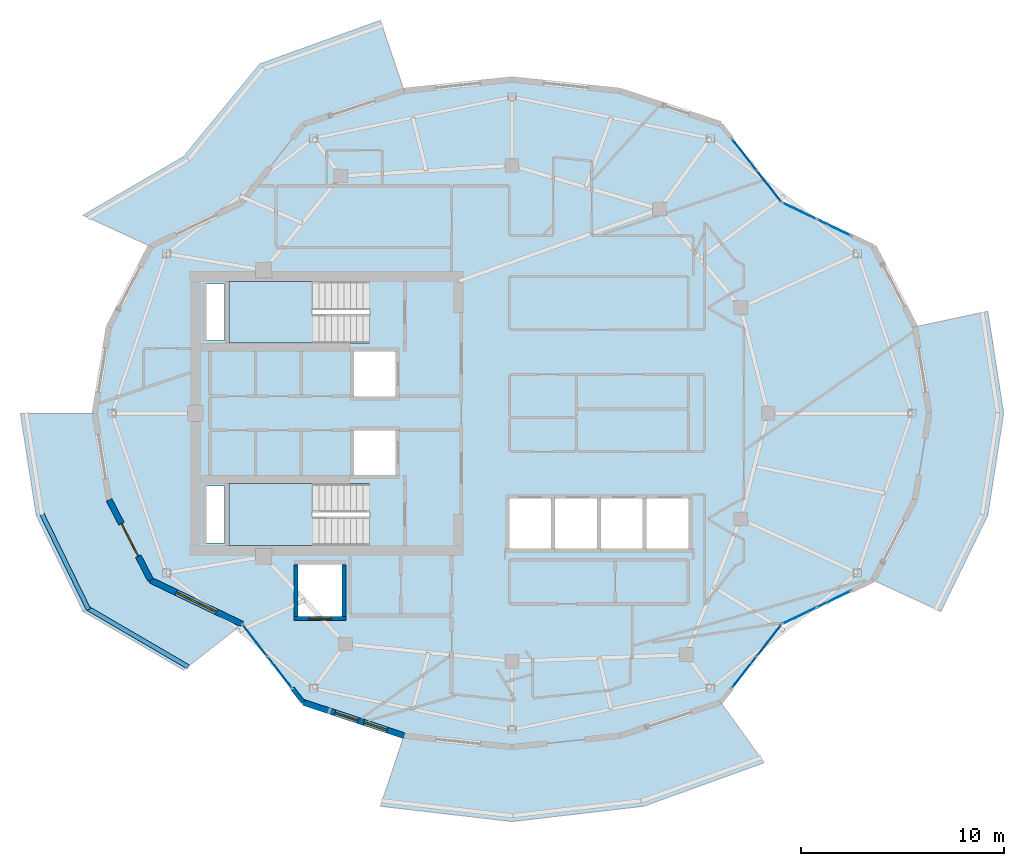
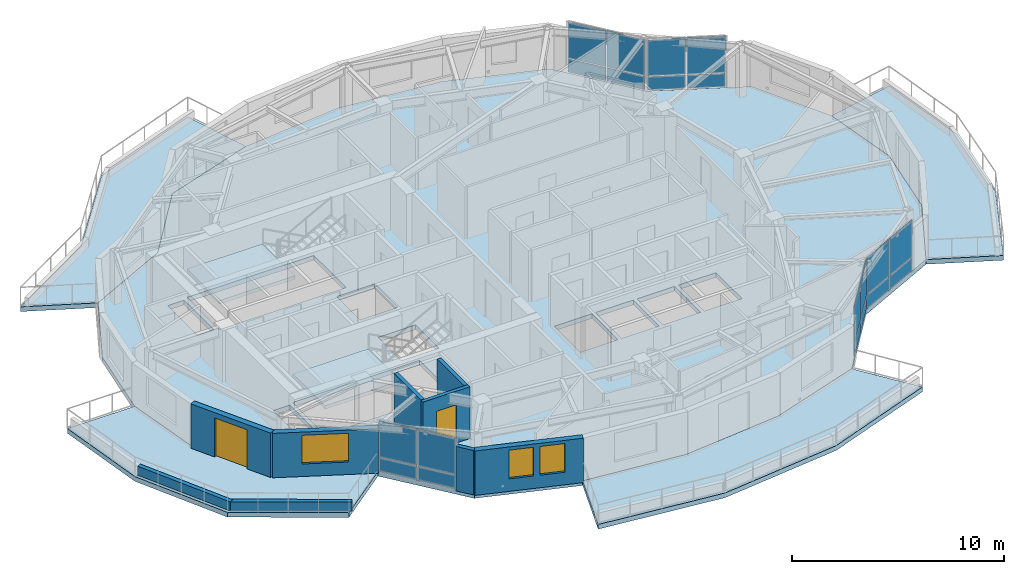
# One storey, part 6 of 15: 25 plates, 9 walls, 7 slabs, 3 windows, 2 doors, 5 openings, 7 elements without a shape of their own.
"""IFC4 building model written with IfcOpenShell, lengths in metres."""

from ifc_helpers import new_model, si_unit, direction, frame, frame_2d, origin, origin_2d, place, context, subcontext, project, spatial, polyline, rectangle, outline, extrude, material, layer, layer_set, type_object, element, fill, aggregate, save


model = new_model("IFC4")

# Units and contexts
model_context = context("Model", 3, precision=1e-05, world=origin(), true_north=direction((0.0, 1.0)))
body_context = subcontext(model_context, "Body", "Model", "MODEL_VIEW")
ifc_project = project(units=[si_unit("LENGTHUNIT", "METRE"), si_unit("AREAUNIT", "SQUARE_METRE"), si_unit("VOLUMEUNIT", "CUBIC_METRE"), si_unit("PLANEANGLEUNIT", "RADIAN"), si_unit("MASSUNIT", "GRAM", prefix="KILO")], contexts=[model_context])

# Site, building, storey
site_placement = place(None, origin())
site = spatial("IfcSite", under=ifc_project, at=site_placement, CompositionType="ELEMENT")
building_placement = place(site_placement, origin())
building = spatial("IfcBuilding", under=site, at=building_placement, Name="Kolvaren Gate Tower and Convention Centre", CompositionType="ELEMENT")
storey_placement = place(building_placement, frame((0.0, 0.0, 272.300048828125)))
storey = spatial("IfcBuildingStorey", under=building, at=storey_placement, Name="L74", CompositionType="ELEMENT", Elevation=272.300048828125)

# Plates
ifc_material_1 = material(Name="Perforated Anodized Bronze Aluminium Sheet 6 mm", Category="aluminium")
ifc_layer_1 = layer(ifc_material_1, 0.011962890625)
ifc_layer_set_1 = layer_set([ifc_layer_1], Name="Perforated Anodized Bronze Aluminium Sheet 6 mm")
plate_type_1 = type_object("IfcPlateType", Name="ARCH-PL-SCREEN-PERF", PredefinedType="SHEET", material=ifc_layer_set_1)
for number, where, z_axis, x_axis, name in (
    (1, (45.65478515625, 36.2939453125, 2.14013671875), (0.0, 0.0, 1.0), (0.901356122373, -0.433078677218, 0.0), "Tower L74 Perforated Bronze Solar Screen SS-02"),
    (2, (41.897216796875, 39.2998046875, 2.14013671875), (0.0, 0.0, 1.0), (0.616429996253, -0.787409715281, 0.0), "Tower L74 Perforated Bronze Solar Screen SS-03"),
    (3, (18.352783203125, 14.7001953125, 2.14013671875), (0.0, 0.0, 1.0), (0.616429996253, -0.787409715281, 0.0), "Tower L74 Perforated Bronze Solar Screen SS-15"),
    (4, (41.897216796875, 14.7001953125, 2.14013671875), (0.0, 0.0, 1.0), (0.616429996253, 0.787409715281, 0.0), "Tower L74 Perforated Bronze Solar Screen SS-20"),
    (5, (45.65478515625, 17.7060546875, 2.14013671875), (0.0, 0.0, 1.0), (0.901356122373, 0.433078677218, 0.0), "Tower L74 Perforated Bronze Solar Screen SS-21"),
):
    element("IfcPlate", number, at=place(storey_placement, frame(where, z_axis=z_axis, x_axis=x_axis)), inside=storey, type_object=plate_type_1, Name=name, PredefinedType="SHEET", context=body_context, shape_type="SweptSolid", body=[
        extrude(rectangle(XDim=2.60009765625, YDim=0.011962890625, at=origin_2d()), origin(), (0.0, 0.0, 1.0), 0.840087890625),
    ])

# Curtain wall, plates
ifc_material_2 = material(Name="Anodized Architectural Aluminium Alloy 6063-T6", Category="aluminium")
ifc_layer_2 = layer(ifc_material_2, 0.159912109375)
ifc_layer_set_2 = layer_set([ifc_layer_2], Name="Anodized Architectural Aluminium Alloy 6063-T6")
curtain_wall_type = type_object("IfcCurtainWallType", Name="CW-RES-UNIT", PredefinedType="NOTDEFINED", material=ifc_layer_set_2)
curtain_wall_1_placement = place(storey_placement, origin())
curtain_wall_1 = element("IfcCurtainWall", 6, at=curtain_wall_1_placement, inside=storey, type_object=curtain_wall_type, Name="Tower L74 Unitised Curtain Wall CW-RES-UNIT Bay 02", PredefinedType="NOTDEFINED")
ifc_material_3 = material(Name="Low-E Triple Insulated Glazing Unit 44 mm", Category="glass")
ifc_layer_3 = layer(ifc_material_3, 0.0439453125)
ifc_layer_set_3 = layer_set([ifc_layer_3], Name="Low-E Triple Insulated Glazing Unit 44 mm")
plate_type_2 = type_object("IfcPlateType", Name="CW-PL-IGU-44", PredefinedType="CURTAIN_PANEL", material=ifc_layer_set_3)
plate_1_placement = place(storey_placement, frame((44.27783203125, 36.95556640625, 0.88232421875), z_axis=(0.0, 0.0, 1.0), x_axis=(0.90136052248, -0.433069519262, 0.0)))
plate_1 = element("IfcPlate", 7, at=plate_1_placement, type_object=plate_type_2, Name="CW-04 panel 1.2", PredefinedType="CURTAIN_PANEL", context=body_context, shape_type="SweptSolid", body=[
    extrude(rectangle(XDim=1.80908203125, YDim=0.0439453125, at=origin_2d()), origin(), (0.0, 0.0, 1.0), 2.032470703125),
])
plate_2_placement = place(storey_placement, frame((45.967041015625, 36.14404296875, 0.88232421875), z_axis=(0.0, 0.0, 1.0), x_axis=(0.90136052248, -0.433069519262, 0.0)))
plate_2 = element("IfcPlate", 8, at=plate_2_placement, type_object=plate_type_2, Name="CW-04 panel 2.2", PredefinedType="CURTAIN_PANEL", context=body_context, shape_type="SweptSolid", body=[
    extrude(rectangle(XDim=1.80908203125, YDim=0.0439453125, at=origin_2d()), origin(), (0.0, 0.0, 1.0), 2.032470703125),
])

curtain_wall_2_placement = place(storey_placement, origin())
curtain_wall_2 = element("IfcCurtainWall", 9, at=curtain_wall_2_placement, inside=storey, type_object=curtain_wall_type, Name="Tower L74 Unitised Curtain Wall CW-RES-UNIT Bay 03", PredefinedType="NOTDEFINED")
plate_3_placement = place(storey_placement, frame((41.558837890625, 39.732177734375, 0.88232421875), z_axis=(0.0, 0.0, 1.0), x_axis=(0.616432579226, -0.787407693173, 0.0)))
plate_3 = element("IfcPlate", 10, at=plate_3_placement, type_object=plate_type_2, Name="CW-04 panel 1.2", PredefinedType="CURTAIN_PANEL", context=body_context, shape_type="SweptSolid", body=[
    extrude(rectangle(XDim=1.90869140625, YDim=0.0439453125, at=origin_2d()), origin(), (0.0, 0.0, 1.0), 2.032470703125),
])
plate_4_placement = place(storey_placement, frame((42.775634765625, 38.177978515625, 0.88232421875), z_axis=(0.0, 0.0, 1.0), x_axis=(0.616432579226, -0.787407693173, 0.0)))
plate_4 = element("IfcPlate", 11, at=plate_4_placement, type_object=plate_type_2, Name="CW-04 panel 2.2", PredefinedType="CURTAIN_PANEL", context=body_context, shape_type="SweptSolid", body=[
    extrude(rectangle(XDim=1.90869140625, YDim=0.0439453125, at=origin_2d()), origin(), (0.0, 0.0, 1.0), 2.032470703125),
])

curtain_wall_3_placement = place(storey_placement, origin())
curtain_wall_3 = element("IfcCurtainWall", 12, at=curtain_wall_3_placement, inside=storey, type_object=curtain_wall_type, Name="Tower L74 Unitised Curtain Wall CW-RES-UNIT Bay 15", PredefinedType="NOTDEFINED")
plate_5_placement = place(storey_placement, frame((17.474365234375, 15.822021484375, 0.88232421875), z_axis=(0.0, 0.0, 1.0), x_axis=(0.616425867976, -0.787412947119, 0.0)))
plate_5 = element("IfcPlate", 13, at=plate_5_placement, type_object=plate_type_2, Name="CW-04 panel 1.2", PredefinedType="CURTAIN_PANEL", context=body_context, shape_type="SweptSolid", body=[
    extrude(rectangle(XDim=1.908447265625, YDim=0.0439453125, at=origin_2d()), origin(), (0.0, 0.0, 1.0), 2.032470703125),
])
plate_6_placement = place(storey_placement, frame((18.69091796875, 14.26806640625, 0.88232421875), z_axis=(0.0, 0.0, 1.0), x_axis=(0.616425867976, -0.787412947119, 0.0)))
plate_6 = element("IfcPlate", 14, at=plate_6_placement, type_object=plate_type_2, Name="CW-04 panel 2.2", PredefinedType="CURTAIN_PANEL", context=body_context, shape_type="SweptSolid", body=[
    extrude(rectangle(XDim=1.908447265625, YDim=0.0439453125, at=origin_2d()), origin(), (0.0, 0.0, 1.0), 2.032470703125),
])

curtain_wall_4_placement = place(storey_placement, origin())
curtain_wall_4 = element("IfcCurtainWall", 15, at=curtain_wall_4_placement, inside=storey, type_object=curtain_wall_type, Name="Tower L74 Unitised Curtain Wall CW-RES-UNIT Bay 20", PredefinedType="NOTDEFINED")
plate_7_placement = place(storey_placement, frame((41.558837890625, 14.267822265625, 0.88232421875), z_axis=(0.0, 0.0, 1.0), x_axis=(0.616432579226, 0.787407693173, 0.0)))
plate_7 = element("IfcPlate", 16, at=plate_7_placement, type_object=plate_type_2, Name="CW-04 panel 1.2", PredefinedType="CURTAIN_PANEL", context=body_context, shape_type="SweptSolid", body=[
    extrude(rectangle(XDim=1.90869140625, YDim=0.0439453125, at=origin_2d()), origin(), (0.0, 0.0, 1.0), 2.032470703125),
])
plate_8_placement = place(storey_placement, frame((42.775634765625, 15.822021484375, 0.88232421875), z_axis=(0.0, 0.0, 1.0), x_axis=(0.616432579226, 0.787407693173, 0.0)))
plate_8 = element("IfcPlate", 17, at=plate_8_placement, type_object=plate_type_2, Name="CW-04 panel 2.2", PredefinedType="CURTAIN_PANEL", context=body_context, shape_type="SweptSolid", body=[
    extrude(rectangle(XDim=1.90869140625, YDim=0.0439453125, at=origin_2d()), origin(), (0.0, 0.0, 1.0), 2.032470703125),
])

curtain_wall_5_placement = place(storey_placement, origin())
curtain_wall_5 = element("IfcCurtainWall", 18, at=curtain_wall_5_placement, inside=storey, type_object=curtain_wall_type, Name="Tower L74 Unitised Curtain Wall CW-RES-UNIT Bay 21", PredefinedType="NOTDEFINED")
plate_9_placement = place(storey_placement, frame((44.27783203125, 17.04443359375, 0.88232421875), z_axis=(0.0, 0.0, 1.0), x_axis=(0.90136052248, 0.433069519262, 0.0)))
plate_9 = element("IfcPlate", 19, at=plate_9_placement, type_object=plate_type_2, Name="CW-04 panel 1.2", PredefinedType="CURTAIN_PANEL", context=body_context, shape_type="SweptSolid", body=[
    extrude(rectangle(XDim=1.80908203125, YDim=0.0439453125, at=origin_2d()), origin(), (0.0, 0.0, 1.0), 2.032470703125),
])
plate_10_placement = place(storey_placement, frame((45.967041015625, 17.85595703125, 0.88232421875), z_axis=(0.0, 0.0, 1.0), x_axis=(0.90136052248, 0.433069519262, 0.0)))
plate_10 = element("IfcPlate", 20, at=plate_10_placement, type_object=plate_type_2, Name="CW-04 panel 2.2", PredefinedType="CURTAIN_PANEL", context=body_context, shape_type="SweptSolid", body=[
    extrude(rectangle(XDim=1.80908203125, YDim=0.0439453125, at=origin_2d()), origin(), (0.0, 0.0, 1.0), 2.032470703125),
])

# Plate
ifc_material_4 = material(Name="Solar-Control Laminated Curtain Glazing 36 mm", Category="glass")
ifc_layer_4 = layer(ifc_material_4, 0.035888671875)
ifc_layer_set_4 = layer_set([ifc_layer_4], Name="Solar-Control Laminated Curtain Glazing 36 mm")
plate_type_3 = type_object("IfcPlateType", Name="CW-PL-SPAN-36", PredefinedType="CURTAIN_PANEL", material=ifc_layer_set_4)
plate_11_placement = place(storey_placement, frame((44.27783203125, 36.95556640625, 0.06494140625), z_axis=(0.0, 0.0, 1.0), x_axis=(0.90136052248, -0.433069519262, 0.0)))
plate_11 = element("IfcPlate", 21, at=plate_11_placement, type_object=plate_type_3, Name="CW-04 panel 1.1", PredefinedType="CURTAIN_PANEL", context=body_context, shape_type="SweptSolid", body=[
    extrude(rectangle(XDim=1.80908203125, YDim=0.035888671875, at=origin_2d()), origin(), (0.0, 0.0, 1.0), 0.75244140625),
])

plate_12_placement = place(storey_placement, frame((45.967041015625, 36.14404296875, 0.06494140625), z_axis=(0.0, 0.0, 1.0), x_axis=(0.90136052248, -0.433069519262, 0.0)))
plate_12 = element("IfcPlate", 22, at=plate_12_placement, type_object=plate_type_3, Name="CW-04 panel 2.1", PredefinedType="CURTAIN_PANEL", context=body_context, shape_type="SweptSolid", body=[
    extrude(rectangle(XDim=1.80908203125, YDim=0.035888671875, at=origin_2d()), origin(), (0.0, 0.0, 1.0), 0.75244140625),
])

aggregate(curtain_wall_1, [plate_11, plate_1, plate_12, plate_2])

plate_13_placement = place(storey_placement, frame((41.558837890625, 39.732177734375, 0.06494140625), z_axis=(0.0, 0.0, 1.0), x_axis=(0.616432579226, -0.787407693173, 0.0)))
plate_13 = element("IfcPlate", 23, at=plate_13_placement, type_object=plate_type_3, Name="CW-04 panel 1.1", PredefinedType="CURTAIN_PANEL", context=body_context, shape_type="SweptSolid", body=[
    extrude(rectangle(XDim=1.90869140625, YDim=0.035888671875, at=origin_2d()), origin(), (0.0, 0.0, 1.0), 0.75244140625),
])

plate_14_placement = place(storey_placement, frame((42.775634765625, 38.177978515625, 0.06494140625), z_axis=(0.0, 0.0, 1.0), x_axis=(0.616432579226, -0.787407693173, 0.0)))
plate_14 = element("IfcPlate", 24, at=plate_14_placement, type_object=plate_type_3, Name="CW-04 panel 2.1", PredefinedType="CURTAIN_PANEL", context=body_context, shape_type="SweptSolid", body=[
    extrude(rectangle(XDim=1.90869140625, YDim=0.035888671875, at=origin_2d()), origin(), (0.0, 0.0, 1.0), 0.75244140625),
])

aggregate(curtain_wall_2, [plate_13, plate_3, plate_14, plate_4])

plate_15_placement = place(storey_placement, frame((17.474365234375, 15.822021484375, 0.06494140625), z_axis=(0.0, 0.0, 1.0), x_axis=(0.616425867976, -0.787412947119, 0.0)))
plate_15 = element("IfcPlate", 25, at=plate_15_placement, type_object=plate_type_3, Name="CW-04 panel 1.1", PredefinedType="CURTAIN_PANEL", context=body_context, shape_type="SweptSolid", body=[
    extrude(rectangle(XDim=1.908447265625, YDim=0.035888671875, at=origin_2d()), origin(), (0.0, 0.0, 1.0), 0.75244140625),
])

plate_16_placement = place(storey_placement, frame((18.69091796875, 14.26806640625, 0.06494140625), z_axis=(0.0, 0.0, 1.0), x_axis=(0.616425867976, -0.787412947119, 0.0)))
plate_16 = element("IfcPlate", 26, at=plate_16_placement, type_object=plate_type_3, Name="CW-04 panel 2.1", PredefinedType="CURTAIN_PANEL", context=body_context, shape_type="SweptSolid", body=[
    extrude(rectangle(XDim=1.908447265625, YDim=0.035888671875, at=origin_2d()), origin(), (0.0, 0.0, 1.0), 0.75244140625),
])

aggregate(curtain_wall_3, [plate_15, plate_5, plate_16, plate_6])

plate_17_placement = place(storey_placement, frame((41.558837890625, 14.267822265625, 0.06494140625), z_axis=(0.0, 0.0, 1.0), x_axis=(0.616432579226, 0.787407693173, 0.0)))
plate_17 = element("IfcPlate", 27, at=plate_17_placement, type_object=plate_type_3, Name="CW-04 panel 1.1", PredefinedType="CURTAIN_PANEL", context=body_context, shape_type="SweptSolid", body=[
    extrude(rectangle(XDim=1.90869140625, YDim=0.035888671875, at=origin_2d()), origin(), (0.0, 0.0, 1.0), 0.75244140625),
])

plate_18_placement = place(storey_placement, frame((42.775634765625, 15.822021484375, 0.06494140625), z_axis=(0.0, 0.0, 1.0), x_axis=(0.616432579226, 0.787407693173, 0.0)))
plate_18 = element("IfcPlate", 28, at=plate_18_placement, type_object=plate_type_3, Name="CW-04 panel 2.1", PredefinedType="CURTAIN_PANEL", context=body_context, shape_type="SweptSolid", body=[
    extrude(rectangle(XDim=1.90869140625, YDim=0.035888671875, at=origin_2d()), origin(), (0.0, 0.0, 1.0), 0.75244140625),
])

aggregate(curtain_wall_4, [plate_17, plate_7, plate_18, plate_8])

plate_19_placement = place(storey_placement, frame((44.27783203125, 17.04443359375, 0.06494140625), z_axis=(0.0, 0.0, 1.0), x_axis=(0.90136052248, 0.433069519262, 0.0)))
plate_19 = element("IfcPlate", 29, at=plate_19_placement, type_object=plate_type_3, Name="CW-04 panel 1.1", PredefinedType="CURTAIN_PANEL", context=body_context, shape_type="SweptSolid", body=[
    extrude(rectangle(XDim=1.80908203125, YDim=0.035888671875, at=origin_2d()), origin(), (0.0, 0.0, 1.0), 0.75244140625),
])

plate_20_placement = place(storey_placement, frame((45.967041015625, 17.85595703125, 0.06494140625), z_axis=(0.0, 0.0, 1.0), x_axis=(0.90136052248, 0.433069519262, 0.0)))
plate_20 = element("IfcPlate", 30, at=plate_20_placement, type_object=plate_type_3, Name="CW-04 panel 2.1", PredefinedType="CURTAIN_PANEL", context=body_context, shape_type="SweptSolid", body=[
    extrude(rectangle(XDim=1.80908203125, YDim=0.035888671875, at=origin_2d()), origin(), (0.0, 0.0, 1.0), 0.75244140625),
])

aggregate(curtain_wall_5, [plate_19, plate_9, plate_20, plate_10])

# Slabs
ifc_material_5 = material(Name="Concrete C50/60", Category="concrete")
ifc_layer_5 = layer(ifc_material_5, 0.27001953125)
ifc_layer_set_5 = layer_set([ifc_layer_5], Name="Concrete C50/60")
slab_type_1 = type_object("IfcSlabType", Name="STR-SL-BALC-270", PredefinedType="FLOOR", material=ifc_layer_set_5)
slab_1_placement = place(storey_placement, frame((0.0, 0.0, -0.27001953125)))
element("IfcSlab", 31, at=slab_1_placement, inside=storey, type_object=slab_type_1, Name="Tower L74 Planted Balcony Terrace Slab 1 (North)", PredefinedType="FLOOR", context=body_context, shape_type="SweptSolid", body=[
    extrude(outline(polyline([(24.81103515625, 42.865234375), (19.859375, 41.224609375), (16.84619140625, 37.37548828125), (12.344482421875, 35.21240234375), (9.021728515625, 36.747314453125), (13.962158203125, 39.62890625), (17.717529296875, 44.1923828125), (23.648681640625, 46.335693359375), (24.81103515625, 42.865234375)])), origin(), (0.0, 0.0, 1.0), 0.27001953125),
])
slab_2_placement = place(storey_placement, frame((0.0, 0.0, -0.27001953125)))
element("IfcSlab", 32, at=slab_2_placement, inside=storey, type_object=slab_type_1, Name="Tower L74 Planted Balcony Terrace Slab 2 (West)", PredefinedType="FLOOR", context=body_context, shape_type="SweptSolid", body=[
    extrude(outline(polyline([(9.59375, 27.0), (10.293212890625, 22.748779296875), (12.344482421875, 18.78759765625), (16.84619140625, 16.62451171875), (13.962158203125, 14.37109375), (9.021728515625, 17.252685546875), (6.714599609375, 21.981689453125), (5.933837890625, 27.0), (9.59375, 27.0)])), origin(), (0.0, 0.0, 1.0), 0.27001953125),
])
slab_3_placement = place(storey_placement, frame((0.0, 0.0, -0.27001953125)))
element("IfcSlab", 33, at=slab_3_placement, inside=storey, type_object=slab_type_1, Name="Tower L74 Planted Balcony Terrace Slab 3 (South)", PredefinedType="FLOOR", context=body_context, shape_type="SweptSolid", body=[
    extrude(outline(polyline([(24.81103515625, 11.134765625), (30.125, 10.574951171875), (35.43896484375, 11.134765625), (40.390625, 12.775390625), (42.532470703125, 9.8076171875), (36.601318359375, 7.664306640625), (30.125, 6.9150390625), (23.648681640625, 7.664306640625), (24.81103515625, 11.134765625)])), origin(), (0.0, 0.0, 1.0), 0.27001953125),
])
slab_4_placement = place(storey_placement, frame((0.0, 0.0, -0.27001953125)))
element("IfcSlab", 34, at=slab_4_placement, inside=storey, type_object=slab_type_1, Name="Tower L74 Planted Balcony Terrace Slab 4 (East)", PredefinedType="FLOOR", context=body_context, shape_type="SweptSolid", body=[
    extrude(outline(polyline([(47.905517578125, 18.78759765625), (49.956787109375, 22.748779296875), (50.65625, 27.0), (49.956787109375, 31.251220703125), (53.535400390625, 32.018310546875), (54.316162109375, 27.0), (53.535400390625, 21.981689453125), (51.228271484375, 17.252685546875), (47.905517578125, 18.78759765625)])), origin(), (0.0, 0.0, 1.0), 0.27001953125),
])
ifc_material_6 = material(Name="Concrete C40/50", Category="concrete")
ifc_layer_6 = layer(ifc_material_6, 0.27001953125)
ifc_layer_set_6 = layer_set([ifc_layer_6], Name="Concrete C40/50")
slab_type_2 = type_object("IfcSlabType", Name="STR-SL-FLR-270", PredefinedType="FLOOR", material=ifc_layer_set_6)
slab_5_placement = place(storey_placement, frame((0.0, 0.0, -0.27001953125)))
element("IfcSlab", 35, at=slab_5_placement, inside=storey, type_object=slab_type_2, Name="Tower L74 Structural Floor Slab", PredefinedType="FLOOR", context=body_context, shape_type="SweptSolid", body=[
    extrude(outline(polyline([(50.65625, 27.0), (49.95654296875, 31.251220703125), (47.905517578125, 35.21240234375), (43.40380859375, 37.37548828125), (40.390625, 41.224609375), (35.43896484375, 42.865234375), (30.125, 43.425048828125), (24.81103515625, 42.865234375), (19.859375, 41.224609375), (16.84619140625, 37.37548828125), (12.344482421875, 35.21240234375), (10.29345703125, 31.251220703125), (9.59375, 27.0), (10.29345703125, 22.748779296875), (12.344482421875, 18.78759765625), (16.84619140625, 16.62451171875), (19.859375, 12.775390625), (24.81103515625, 11.134765625), (30.125, 10.574951171875), (35.43896484375, 11.134765625), (40.390625, 12.775390625), (43.40380859375, 16.62451171875), (47.905517578125, 18.78759765625), (49.95654296875, 22.748779296875), (50.65625, 27.0)]), holes=[polyline([(36.75, 20.35009765625), (36.75, 22.800048828125), (38.800048828125, 22.800048828125), (38.800048828125, 20.35009765625), (36.75, 20.35009765625)]), polyline([(36.550048828125, 20.35009765625), (34.5, 20.35009765625), (34.5, 22.800048828125), (36.550048828125, 22.800048828125), (36.550048828125, 20.35009765625)]), polyline([(32.25, 20.35009765625), (32.25, 22.800048828125), (34.300048828125, 22.800048828125), (34.300048828125, 20.35009765625), (32.25, 20.35009765625)]), polyline([(30.0, 20.35009765625), (30.0, 22.800048828125), (32.050048828125, 22.800048828125), (32.050048828125, 20.35009765625), (30.0, 20.35009765625)]), polyline([(22.35009765625, 23.9599609375), (22.35009765625, 26.159912109375), (24.39990234375, 26.159912109375), (24.39990234375, 23.9599609375), (22.35009765625, 23.9599609375)]), polyline([(22.35009765625, 27.840087890625), (22.35009765625, 30.0400390625), (24.39990234375, 30.0400390625), (24.39990234375, 27.840087890625), (22.35009765625, 27.840087890625)]), polyline([(16.199951171875, 23.5400390625), (23.10009765625, 23.5400390625), (23.10009765625, 20.5), (16.199951171875, 20.5), (16.199951171875, 23.5400390625)]), polyline([(16.199951171875, 33.5), (23.10009765625, 33.5), (23.10009765625, 30.4599609375), (16.199951171875, 30.4599609375), (16.199951171875, 33.5)]), polyline([(21.75, 17.0), (19.60009765625, 17.0), (19.60009765625, 19.550048828125), (21.75, 19.550048828125), (21.75, 17.0)]), polyline([(15.080078125, 30.580078125), (15.080078125, 33.3701171875), (15.969970703125, 33.3701171875), (15.969970703125, 30.580078125), (15.080078125, 30.580078125)]), polyline([(15.969970703125, 20.6298828125), (15.080078125, 20.6298828125), (15.080078125, 23.419921875), (15.969970703125, 23.419921875), (15.969970703125, 20.6298828125)])]), origin(), (0.0, 0.0, 1.0), 0.27001953125),
])

# Stair, slab
stair_type = type_object("IfcStairType", Name="STR-STAIR-CORE", PredefinedType="HALF_TURN_STAIR", material=ifc_material_5)
stair_1_placement = place(storey_placement, origin())
stair_1 = element("IfcStair", 36, at=stair_1_placement, inside=storey, type_object=stair_type, Name="L74 Tower North Exit Stair ST-T1", PredefinedType="HALF_TURN_STAIR")
ifc_layer_7 = layer(ifc_material_5, 0.199951171875)
ifc_layer_set_7 = layer_set([ifc_layer_7], Name="Concrete C50/60")
slab_type_3 = type_object("IfcSlabType", Name="STR-SL-LAND-200", PredefinedType="LANDING", material=ifc_layer_set_7)
slab_6_placement = place(storey_placement, frame((0.0, 0.0, 1.449951171875)))
slab_6 = element("IfcSlab", 37, at=slab_6_placement, type_object=slab_type_3, Name="ST-T1 landing 1", PredefinedType="LANDING", context=body_context, shape_type="SweptSolid", body=[
    extrude(outline(polyline([(20.31005859375, 33.5), (16.199951171875, 33.5), (16.199951171875, 30.4599609375), (20.31005859375, 30.4599609375), (20.31005859375, 33.5)])), origin(), (0.0, 0.0, 1.0), 0.199951171875),
])
aggregate(stair_1, [slab_6])

stair_2_placement = place(storey_placement, origin())
stair_2 = element("IfcStair", 38, at=stair_2_placement, inside=storey, type_object=stair_type, Name="L74 Tower South Exit Stair ST-T2", PredefinedType="HALF_TURN_STAIR")
slab_7_placement = place(storey_placement, frame((0.0, 0.0, 1.449951171875)))
slab_7 = element("IfcSlab", 39, at=slab_7_placement, type_object=slab_type_3, Name="ST-T2 landing 1", PredefinedType="LANDING", context=body_context, shape_type="SweptSolid", body=[
    extrude(outline(polyline([(20.31005859375, 23.5400390625), (16.199951171875, 23.5400390625), (16.199951171875, 20.5), (20.31005859375, 20.5), (20.31005859375, 23.5400390625)])), origin(), (0.0, 0.0, 1.0), 0.199951171875),
])
aggregate(stair_2, [slab_7])

# Walls
ifc_material_7 = material(Name="Bogota Sabana Bush-Hammered Sandstone Cladding", Category="masonry")
ifc_layer_8 = layer(ifc_material_7, 0.219970703125)
ifc_layer_set_8 = layer_set([ifc_layer_8], Name="Bogota Sabana Bush-Hammered Sandstone Cladding")
wall_type_1 = type_object("IfcWallType", Name="ARCH-WL-PIER-220", PredefinedType="SOLIDWALL", material=ifc_layer_set_8)
wall_1_placement = place(storey_placement, frame((19.319091796875, 13.465576171875, 0.0), z_axis=(0.0, 0.0, 1.0), x_axis=(0.61640589237, -0.787428584604, 0.0)))
element("IfcWall", 40, at=wall_1_placement, inside=storey, type_object=wall_type_1, Name="Tower L74 Unitised Curtain Wall CW-RES-UNIT Bay 15 Right Column Pier Wrap", PredefinedType="SOLIDWALL", context=body_context, shape_type="SweptSolid", body=[
    extrude(rectangle(XDim=0.87646484375, YDim=0.219970703125, at=frame_2d((0.438232421875, 0.0))), origin(), (0.0, 0.0, 1.0), 2.554931640625),
])
ifc_material_8 = material(Name="Piedmont Cream Honed Limestone Cladding", Category="masonry")
ifc_layer_9 = layer(ifc_material_8, 0.219970703125)
ifc_layer_set_9 = layer_set([ifc_layer_9], Name="Piedmont Cream Honed Limestone Cladding")
wall_type_2 = type_object("IfcWallType", Name="ARCH-WL-PLANTER-220", PredefinedType="PARAPET", material=ifc_layer_set_9)
wall_2_placement = place(storey_placement, frame((6.98046875, 22.070068359375, 0.0), z_axis=(0.0, 0.0, 1.0), x_axis=(0.438469339137, -0.898746148051, 0.0)))
element("IfcWall", 41, at=wall_2_placement, inside=storey, type_object=wall_type_2, Name="Vertical-Forest Balcony Stone Planter Kerb PK-L74-2.2", PredefinedType="PARAPET", context=body_context, shape_type="SweptSolid", body=[
    extrude(rectangle(XDim=5.26171875, YDim=0.219970703125, at=frame_2d((2.630859375, 0.0))), origin(), (0.0, 0.0, 1.0), 0.52001953125),
])
wall_3_placement = place(storey_placement, frame((9.26171875, 17.39697265625, 0.0), z_axis=(0.0, 0.0, 1.0), x_axis=(0.863803671285, -0.503828559606, 0.0)))
element("IfcWall", 42, at=wall_3_placement, inside=storey, type_object=wall_type_2, Name="Vertical-Forest Balcony Stone Planter Kerb PK-L74-2.3", PredefinedType="PARAPET", context=body_context, shape_type="SweptSolid", body=[
    extrude(rectangle(XDim=5.719482421875, YDim=0.219970703125, at=frame_2d((2.85986328125, 0.0))), origin(), (0.0, 0.0, 1.0), 0.52001953125),
])

# Wall, opening, door
ifc_material_9 = material(Name="Autoclaved Aerated Masonry Blockwork Class 4 (4.0 MPa)", Category="masonry")
ifc_layer_10 = layer(ifc_material_9, 0.199951171875)
ifc_layer_set_10 = layer_set([ifc_layer_10], Name="Autoclaved Aerated Masonry Blockwork Class 4 (4.0 MPa)")
wall_type_3 = type_object("IfcWallType", Name="ARCH-WL-SHAFT-200", PredefinedType="SOLIDWALL", material=ifc_layer_set_10)
wall_4_placement = place(storey_placement, frame((19.39990234375, 16.89990234375, 0.0), z_axis=(0.0, 0.0, 1.0), x_axis=(1.0, 0.0, 0.0)))
wall_4 = element("IfcWall", 43, at=wall_4_placement, inside=storey, type_object=wall_type_3, Name="Elevator SV-01 L74 Fire Shaft Wall S", PredefinedType="SOLIDWALL", context=body_context, shape_type="SweptSolid", body=[
    extrude(rectangle(XDim=2.550048828125, YDim=0.199951171875, at=frame_2d((1.27490234375, 0.0))), origin(), (0.0, 0.0, 1.0), 2.97998046875),
])
opening_1_placement = place(wall_4_placement, frame((0.72509765625, 0.0, 0.0)))
opening_1 = element("IfcOpeningElement", 44, at=opening_1_placement, cuts=wall_4, Name="Opening LD", PredefinedType="OPENING", context=body_context, shape_type="SweptSolid", body=[
    extrude(rectangle(XDim=1.10009765625, YDim=2.199951171875, at=frame_2d((0.550048828125, 1.10009765625))), frame((0.0, 0.10986328125, 0.0), z_axis=(0.0, -1.0, 0.0), x_axis=(1.0, 0.0, 0.0)), (0.0, 0.0, 1.0), 0.219970703125),
])
ifc_material_10 = material(Name="Brushed Stainless Steel Grade 316L", Category="steel")
door_type_1 = type_object("IfcDoorType", Name="ARCH-DR-LIFT-1100", OperationType="SLIDING_TO_LEFT", PredefinedType="DOOR", material=ifc_material_10)
door_1_placement = place(opening_1_placement, origin())
door_1 = element("IfcDoor", 45, at=door_1_placement, inside=storey, type_object=door_type_1, Name="Elevator SV-01 L74 Sliding Landing Door", OperationType="SLIDING_TO_LEFT", OverallHeight=2.199951171875, OverallWidth=1.10009765625, PredefinedType="DOOR", context=body_context, shape_type="SweptSolid", body=[
    extrude(rectangle(XDim=1.10009765625, YDim=2.199951171875, at=frame_2d((0.550048828125, 1.10009765625))), frame((0.0, 0.02490234375, 0.0), z_axis=(0.0, -1.0, 0.0), x_axis=(1.0, 0.0, 0.0)), (0.0, 0.0, 1.0), 0.050048828125),
])
fill(opening_1, door_1)

# Walls
for number, where, z_axis, x_axis, name in (
    (46, (19.5, 17.010009765625, 0.0), (0.0, 0.0, 1.0), (0.0, 1.0, 0.0), "Elevator SV-01 L74 Fire Shaft Wall W"),
    (47, (21.85009765625, 17.010009765625, 0.0), (0.0, 0.0, 1.0), (0.0, 1.0, 0.0), "Elevator SV-01 L74 Fire Shaft Wall E"),
):
    element("IfcWall", number, at=place(storey_placement, frame(where, z_axis=z_axis, x_axis=x_axis)), inside=storey, type_object=wall_type_3, Name=name, PredefinedType="SOLIDWALL", context=body_context, shape_type="SweptSolid", body=[
        extrude(rectangle(XDim=2.530029296875, YDim=0.199951171875, at=frame_2d((1.26513671875, 0.0))), origin(), (0.0, 0.0, 1.0), 2.97998046875),
    ])

# Wall, opening, door
ifc_layer_11 = layer(ifc_material_8, 0.300048828125)
ifc_layer_set_11 = layer_set([ifc_layer_11], Name="Piedmont Cream Honed Limestone Cladding")
wall_type_4 = type_object("IfcWallType", Name="ARCH-WL-STONE-300", PredefinedType="SOLIDWALL", material=ifc_layer_set_11)
wall_5_placement = place(storey_placement, frame((10.29345703125, 22.748779296875, 0.0), z_axis=(0.0, 0.0, 1.0), x_axis=(0.459801070243, -0.888021945564, 0.0)))
wall_5 = element("IfcWall", 48, at=wall_5_placement, inside=storey, type_object=wall_type_4, Name="Tower L74 Honed Stone Spandrel Wall EW-13", PredefinedType="SOLIDWALL", context=body_context, shape_type="SweptSolid", body=[
    extrude(rectangle(XDim=4.460693359375, YDim=0.300048828125, at=frame_2d((2.23046875, 0.0))), origin(), (0.0, 0.0, 1.0), 2.554931640625),
])
opening_2_placement = place(wall_5_placement, frame((1.330078125, 0.0, 0.0)))
opening_2 = element("IfcOpeningElement", 49, at=opening_2_placement, cuts=wall_5, Name="Opening DB-01", PredefinedType="OPENING", context=body_context, shape_type="SweptSolid", body=[
    extrude(rectangle(XDim=1.800048828125, YDim=2.25, at=frame_2d((0.89990234375, 1.125))), frame((0.0, 0.159912109375, 0.0), z_axis=(0.0, -1.0, 0.0), x_axis=(1.0, 0.0, 0.0)), (0.0, 0.0, 1.0), 0.320068359375),
])
door_type_2 = type_object("IfcDoorType", Name="ARCH-DR-BALC-1800", OperationType="SLIDING_TO_LEFT", PredefinedType="DOOR", material=ifc_material_2)
door_2_placement = place(opening_2_placement, frame((1.800048828125, 0.0, 0.0), z_axis=(0.0, 0.0, 1.0), x_axis=(-1.0, 0.0, 0.0)))
door_2 = element("IfcDoor", 50, at=door_2_placement, inside=storey, type_object=door_type_2, Name="Planted Sky Terrace Access Door DB-L74-13", OperationType="SLIDING_TO_LEFT", OverallHeight=2.25, OverallWidth=1.800048828125, PredefinedType="DOOR", context=body_context, shape_type="SweptSolid", body=[
    extrude(rectangle(XDim=1.800048828125, YDim=2.25, at=frame_2d((0.89990234375, 1.125))), frame((0.0, 0.02490234375, 0.0), z_axis=(0.0, -1.0, 0.0), x_axis=(1.0, 0.0, 0.0)), (0.0, 0.0, 1.0), 0.050048828125),
])
fill(opening_2, door_2)

# Wall, opening, window
wall_6_placement = place(storey_placement, frame((12.344482421875, 18.78759765625, 0.0), z_axis=(0.0, 0.0, 1.0), x_axis=(0.901346013132, -0.433099716706, 0.0)))
wall_6 = element("IfcWall", 51, at=wall_6_placement, inside=storey, type_object=wall_type_4, Name="Tower L74 Honed Stone Spandrel Wall EW-14", PredefinedType="SOLIDWALL", context=body_context, shape_type="SweptSolid", body=[
    extrude(rectangle(XDim=4.994384765625, YDim=0.300048828125, at=frame_2d((2.4970703125, 0.0))), origin(), (0.0, 0.0, 1.0), 2.554931640625),
])
opening_3_placement = place(wall_6_placement, frame((1.39697265625, 0.0, 0.719970703125)))
opening_3 = element("IfcOpeningElement", 52, at=opening_3_placement, cuts=wall_6, Name="Opening W-03", PredefinedType="OPENING", context=body_context, shape_type="SweptSolid", body=[
    extrude(rectangle(XDim=2.199951171875, YDim=1.64990234375, at=frame_2d((1.10009765625, 0.824951171875))), frame((0.0, 0.159912109375, 0.0), z_axis=(0.0, -1.0, 0.0), x_axis=(1.0, 0.0, 0.0)), (0.0, 0.0, 1.0), 0.320068359375),
])
window_type_1 = type_object("IfcWindowType", Name="ARCH-WN-RES-2200", PartitioningType="SINGLE_PANEL", PredefinedType="WINDOW", material=ifc_material_3)
window_1_placement = place(opening_3_placement, origin())
window_1 = element("IfcWindow", 53, at=window_1_placement, inside=storey, type_object=window_type_1, Name="Tower L74 Punched Stone Facade Window W-14", OverallHeight=1.64990234375, OverallWidth=2.199951171875, PartitioningType="SINGLE_PANEL", PredefinedType="WINDOW", context=body_context, shape_type="SweptSolid", body=[
    extrude(rectangle(XDim=2.199951171875, YDim=1.64990234375, at=frame_2d((1.10009765625, 0.824951171875))), frame((0.0, 0.030029296875, 0.0), z_axis=(0.0, -1.0, 0.0), x_axis=(1.0, 0.0, 0.0)), (0.0, 0.0, 1.0), 0.06005859375),
])
fill(opening_3, window_1)

# Wall, openings, windows
wall_7_placement = place(storey_placement, frame((19.859375, 12.775390625, 0.0), z_axis=(0.0, 0.0, 1.0), x_axis=(0.949252744709, -0.314514271001, 0.0)))
wall_7 = element("IfcWall", 54, at=wall_7_placement, inside=storey, type_object=wall_type_4, Name="Tower L74 Honed Stone Spandrel Wall EW-16", PredefinedType="SOLIDWALL", context=body_context, shape_type="SweptSolid", body=[
    extrude(rectangle(XDim=5.21630859375, YDim=0.300048828125, at=frame_2d((2.608154296875, 0.0))), origin(), (0.0, 0.0, 1.0), 2.554931640625),
])
opening_4_placement = place(wall_7_placement, frame((1.6298828125, 0.0, 0.719970703125)))
opening_4 = element("IfcOpeningElement", 55, at=opening_4_placement, cuts=wall_7, Name="Opening W-04", PredefinedType="OPENING", context=body_context, shape_type="SweptSolid", body=[
    extrude(rectangle(XDim=1.199951171875, YDim=1.64990234375, at=frame_2d((0.60009765625, 0.824951171875))), frame((0.0, 0.159912109375, 0.0), z_axis=(0.0, -1.0, 0.0), x_axis=(1.0, 0.0, 0.0)), (0.0, 0.0, 1.0), 0.320068359375),
])
opening_5_placement = place(wall_7_placement, frame((3.13671875, 0.0, 0.719970703125)))
opening_5 = element("IfcOpeningElement", 56, at=opening_5_placement, cuts=wall_7, Name="Opening W-04", PredefinedType="OPENING", context=body_context, shape_type="SweptSolid", body=[
    extrude(rectangle(XDim=1.199951171875, YDim=1.64990234375, at=frame_2d((0.60009765625, 0.824951171875))), frame((0.0, 0.159912109375, 0.0), z_axis=(0.0, -1.0, 0.0), x_axis=(1.0, 0.0, 0.0)), (0.0, 0.0, 1.0), 0.320068359375),
])
window_type_2 = type_object("IfcWindowType", Name="ARCH-WN-NARROW-1200", PartitioningType="SINGLE_PANEL", PredefinedType="WINDOW", material=ifc_material_3)
window_2_placement = place(opening_4_placement, origin())
window_2 = element("IfcWindow", 57, at=window_2_placement, inside=storey, type_object=window_type_2, Name="Tower L74 Punched Stone Facade Window W-16", OverallHeight=1.64990234375, OverallWidth=1.199951171875, PartitioningType="SINGLE_PANEL", PredefinedType="WINDOW", context=body_context, shape_type="SweptSolid", body=[
    extrude(rectangle(XDim=1.199951171875, YDim=1.64990234375, at=frame_2d((0.60009765625, 0.824951171875))), frame((0.0, 0.030029296875, 0.0), z_axis=(0.0, -1.0, 0.0), x_axis=(1.0, 0.0, 0.0)), (0.0, 0.0, 1.0), 0.06005859375),
])
fill(opening_4, window_2)
window_3_placement = place(opening_5_placement, origin())
window_3 = element("IfcWindow", 58, at=window_3_placement, inside=storey, type_object=window_type_2, Name="Tower L74 Punched Stone Facade Window W-16B", OverallHeight=1.64990234375, OverallWidth=1.199951171875, PartitioningType="SINGLE_PANEL", PredefinedType="WINDOW", context=body_context, shape_type="SweptSolid", body=[
    extrude(rectangle(XDim=1.199951171875, YDim=1.64990234375, at=frame_2d((0.60009765625, 0.824951171875))), frame((0.0, 0.030029296875, 0.0), z_axis=(0.0, -1.0, 0.0), x_axis=(1.0, 0.0, 0.0)), (0.0, 0.0, 1.0), 0.06005859375),
])
fill(opening_5, window_3)

save(model, "model.ifc")
